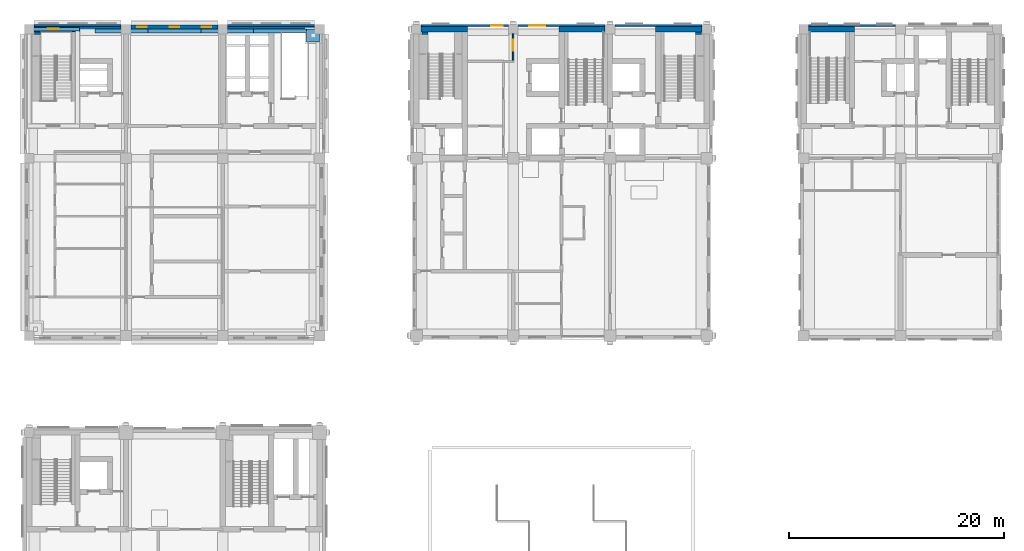
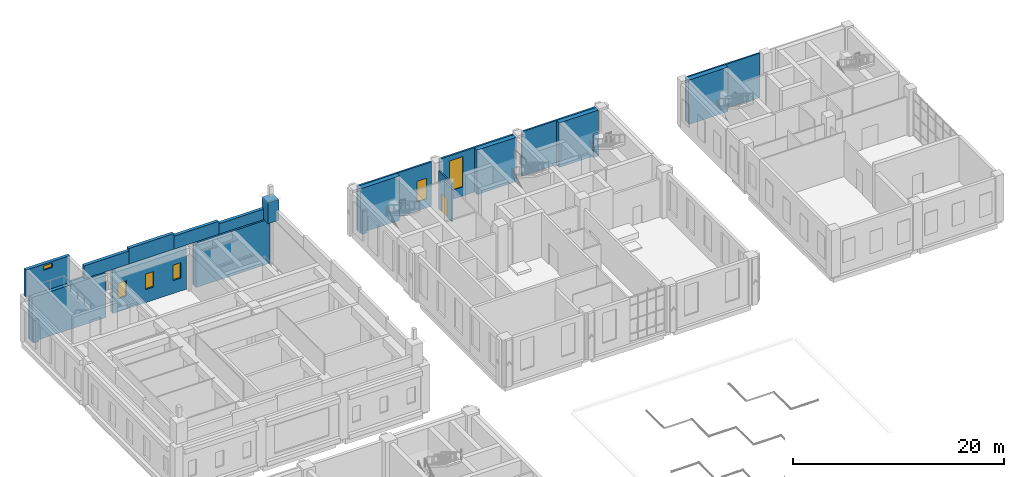
# One storey, part 25 of 37: 23 walls, 6 windows, 1 door, 7 openings.
"""IFC4 building model written with IfcOpenShell, lengths in metres."""

from ifc_helpers import new_model, si_unit, direction, frame, frame_2d, origin, place, context, subcontext, project, spatial, rectangle, extrude, material, layer, layer_set, type_object, element, fill, save


model = new_model("IFC4")

# Units and contexts
model_context = context("Model", 3, precision=1e-05, world=origin(), true_north=direction((0.0, 1.0)))
body_context = subcontext(model_context, "Body", "Model", "MODEL_VIEW")
ifc_project = project(units=[si_unit("LENGTHUNIT", "METRE"), si_unit("AREAUNIT", "SQUARE_METRE"), si_unit("VOLUMEUNIT", "CUBIC_METRE"), si_unit("PLANEANGLEUNIT", "RADIAN"), si_unit("MASSUNIT", "GRAM", prefix="KILO")], contexts=[model_context])

# Site, building, storey
site_placement = place(None, origin())
site = spatial("IfcSite", under=ifc_project, at=site_placement, CompositionType="ELEMENT")
building_placement = place(site_placement, origin())
building = spatial("IfcBuilding", under=site, at=building_placement, Name="Aurelan Courthouse", CompositionType="ELEMENT")
storey_placement = place(building_placement, frame((0.0, 0.0, 17.39990234375)))
storey = spatial("IfcBuildingStorey", under=building, at=storey_placement, Name="L03", CompositionType="ELEMENT", Elevation=17.39990234375)

# Walls
ifc_material_1 = material(Name="Limestone cladding", Category="masonry")
ifc_layer_1 = layer(ifc_material_1, 0.35009765625)
ifc_layer_set_1 = layer_set([ifc_layer_1], Name="Limestone cladding")
wall_type_1 = type_object("IfcWallType", Name="CR6 crown parapet 350 x 1200", PredefinedType="PARAPET", material=ifc_layer_set_1)
wall_1_placement = place(storey_placement, frame((20.8798828125, 65.824951171875, 5.400146484375), z_axis=(0.0, 0.0, 1.0), x_axis=(1.0, 0.0, 0.0)))
element("IfcWall", 1, at=wall_1_placement, inside=storey, type_object=wall_type_1, Name="Crown parapet CR6-PA10", PredefinedType="PARAPET", context=body_context, shape_type="SweptSolid", body=[
    extrude(rectangle(XDim=4.920166015625, YDim=0.35009765625, at=frame_2d((2.4599609375, 0.0))), origin(), (0.0, 0.0, 1.0), 1.199951171875),
])
ifc_layer_2 = layer(ifc_material_1, 0.35009765625)
ifc_layer_set_2 = layer_set([ifc_layer_2], Name="Limestone cladding")
wall_type_2 = type_object("IfcWallType", Name="CR6 crown parapet 350 x 1500", PredefinedType="PARAPET", material=ifc_layer_set_2)
for number, where, z_axis, x_axis, name in (
    (2, (6.1201171875, 65.824951171875, 5.400146484375), (0.0, 0.0, 1.0), (1.0, 0.0, 0.0), "Crown parapet CR6-PA07"),
    (3, (15.9599609375, 65.824951171875, 5.400146484375), (0.0, 0.0, 1.0), (1.0, 0.0, 0.0), "Crown parapet CR6-PA09"),
):
    element("IfcWall", number, at=place(storey_placement, frame(where, z_axis=z_axis, x_axis=x_axis)), inside=storey, type_object=wall_type_2, Name=name, PredefinedType="PARAPET", context=body_context, shape_type="SweptSolid", body=[
        extrude(rectangle(XDim=4.919921875, YDim=0.35009765625, at=frame_2d((2.4599609375, 0.0))), origin(), (0.0, 0.0, 1.0), 1.5),
    ])
ifc_layer_3 = layer(ifc_material_1, 0.35009765625)
ifc_layer_set_3 = layer_set([ifc_layer_3], Name="Limestone cladding")
wall_type_3 = type_object("IfcWallType", Name="CR6 crown parapet 350 x 1800", PredefinedType="PARAPET", material=ifc_layer_set_3)
wall_2_placement = place(storey_placement, frame((11.0400390625, 65.824951171875, 5.400146484375), z_axis=(0.0, 0.0, 1.0), x_axis=(1.0, 0.0, 0.0)))
element("IfcWall", 4, at=wall_2_placement, inside=storey, type_object=wall_type_3, Name="Crown parapet CR6-PA08", PredefinedType="PARAPET", context=body_context, shape_type="SweptSolid", body=[
    extrude(rectangle(XDim=4.919921875, YDim=0.35009765625, at=frame_2d((2.4599609375, 0.0))), origin(), (0.0, 0.0, 1.0), 1.800048828125),
])

# Wall, opening, door
ifc_material_2 = material(Name="Gypsum board on metal studs")
ifc_layer_4 = layer(ifc_material_2, 0.14990234375)
ifc_layer_set_4 = layer_set([ifc_layer_4], Name="Gypsum board on metal studs")
wall_type_4 = type_object("IfcWallType", Name="Corridor partition 150 EI 60", PredefinedType="PARTITIONING", material=ifc_layer_set_4)
wall_3_placement = place(storey_placement, frame((45.0, 63.074951171875, 0.0), z_axis=(0.0, 0.0, 1.0), x_axis=(0.0, 1.0, 0.0)))
wall_3 = element("IfcWall", 5, at=wall_3_placement, inside=storey, type_object=wall_type_4, Name="Corridor partition L03-069", PredefinedType="PARTITIONING", context=body_context, shape_type="SweptSolid", body=[
    extrude(rectangle(XDim=2.47509765625, YDim=0.14990234375, at=frame_2d((1.237548828125, 0.0))), origin(), (0.0, 0.0, 1.0), 4.400146484375),
])
opening_1_placement = place(wall_3_placement, frame((0.925048828125, 0.0, 0.0)))
opening_1 = element("IfcOpeningElement", 6, at=opening_1_placement, cuts=wall_3, Name="Opening D-L03-028", PredefinedType="OPENING", context=body_context, shape_type="SweptSolid", body=[
    extrude(rectangle(XDim=1.0, YDim=2.10009765625, at=frame_2d((0.5, 1.050048828125))), frame((0.0, 0.0849609375, 0.0), z_axis=(0.0, -1.0, 0.0), x_axis=(1.0, 0.0, 0.0)), (0.0, 0.0, 1.0), 0.169921875),
])
ifc_material_3 = material(Name="Steel", Category="steel")
door_type = type_object("IfcDoorType", Name="Single door 1000 x 2100 FD60", OperationType="SINGLE_SWING_LEFT", PredefinedType="DOOR", material=ifc_material_3)
door_placement = place(opening_1_placement, origin())
door = element("IfcDoor", 7, at=door_placement, inside=storey, type_object=door_type, Name="Single door D-L03-028", OperationType="SINGLE_SWING_LEFT", OverallHeight=2.10009765625, OverallWidth=1.0, PredefinedType="DOOR", context=body_context, shape_type="SweptSolid", body=[
    extrude(rectangle(XDim=1.0, YDim=2.10009765625, at=frame_2d((0.5, 1.050048828125))), frame((0.0, 0.02490234375, 0.0), z_axis=(0.0, -1.0, 0.0), x_axis=(1.0, 0.0, 0.0)), (0.0, 0.0, 1.0), 0.050048828125),
])
fill(opening_1, door)

# Wall, opening, window
ifc_layer_5 = layer(ifc_material_1, 0.054931640625, Name="Facing")
ifc_material_4 = material(Name="Ventilated cavity")
ifc_layer_6 = layer(ifc_material_4, 0.02490234375, ventilated=True, Name="Ventilated cavity")
ifc_material_5 = material(Name="Mineral wool insulation")
ifc_layer_7 = layer(ifc_material_5, 0.030029296875, Name="Insulation")
ifc_material_6 = material(Name="Concrete C30", Category="concrete")
ifc_layer_8 = layer(ifc_material_6, 0.090087890625, Name="Structure")
ifc_layer_set_5 = layer_set([ifc_layer_5, ifc_layer_6, ifc_layer_7, ifc_layer_8], Name="Concrete C30")
wall_type_5 = type_object("IfcWallType", Name="Courtroom Block stone-faced wall 200", PredefinedType="SOLIDWALL", material=ifc_layer_set_5)
wall_4_placement = place(storey_placement, frame((36.449951171875, 66.35009765625, 0.0), z_axis=(0.0, 0.0, 1.0), x_axis=(1.0, 0.0, 0.0)))
wall_4 = element("IfcWall", 8, at=wall_4_placement, inside=storey, type_object=wall_type_5, Name="Facade wall FW-V2-L03-004", PredefinedType="SOLIDWALL", context=body_context, shape_type="SweptSolid", body=[
    extrude(rectangle(XDim=8.10009765625, YDim=0.199951171875, at=frame_2d((4.050048828125, 0.0))), origin(), (0.0, 0.0, 1.0), 5.150146484375),
])
opening_2_placement = place(wall_4_placement, frame((6.52490234375, 0.0, 1.050048828125)))
opening_2 = element("IfcOpeningElement", 9, at=opening_2_placement, cuts=wall_4, Name="Opening WN-V2-L03-006", PredefinedType="OPENING", context=body_context, shape_type="SweptSolid", body=[
    extrude(rectangle(XDim=1.050048828125, YDim=2.39990234375, at=frame_2d((0.52490234375, 1.199951171875))), frame((0.0, 0.10986328125, 0.0), z_axis=(0.0, -1.0, 0.0), x_axis=(1.0, 0.0, 0.0)), (0.0, 0.0, 1.0), 0.219970703125),
])
ifc_material_7 = material(Name="Bronze-finished aluminium and glass", Category="aluminium")
window_type_1 = type_object("IfcWindowType", Name="Courtroom Block window 1050 x 2400, sill 1050", PartitioningType="SINGLE_PANEL", PredefinedType="WINDOW", material=ifc_material_7)
window_1_placement = place(opening_2_placement, origin())
window_1 = element("IfcWindow", 10, at=window_1_placement, inside=storey, type_object=window_type_1, Name="Window WN-V2-L03-006", OverallHeight=2.39990234375, OverallWidth=1.050048828125, PartitioningType="SINGLE_PANEL", PredefinedType="WINDOW", context=body_context, shape_type="SweptSolid", body=[
    extrude(rectangle(XDim=1.050048828125, YDim=2.39990234375, at=frame_2d((0.52490234375, 1.199951171875))), frame((0.0, 0.030029296875, 0.0), z_axis=(0.0, -1.0, 0.0), x_axis=(1.0, 0.0, 0.0)), (0.0, 0.0, 1.0), 0.06005859375),
])
fill(opening_2, window_1)

wall_5_placement = place(storey_placement, frame((45.449951171875, 66.35009765625, 0.0), z_axis=(0.0, 0.0, 1.0), x_axis=(1.0, 0.0, 0.0)))
wall_5 = element("IfcWall", 11, at=wall_5_placement, inside=storey, type_object=wall_type_5, Name="Facade wall FW-V2-L03-005", PredefinedType="SOLIDWALL", context=body_context, shape_type="SweptSolid", body=[
    extrude(rectangle(XDim=8.10009765625, YDim=0.199951171875, at=frame_2d((4.050048828125, 0.0))), origin(), (0.0, 0.0, 1.0), 5.150146484375),
])
opening_3_placement = place(wall_5_placement, frame((1.050048828125, 0.0, 1.050048828125)))
opening_3 = element("IfcOpeningElement", 12, at=opening_3_placement, cuts=wall_5, Name="Opening WN-V2-L03-007", PredefinedType="OPENING", context=body_context, shape_type="SweptSolid", body=[
    extrude(rectangle(XDim=1.5, YDim=3.5, at=frame_2d((0.75, 1.75))), frame((0.0, 0.10986328125, 0.0), z_axis=(0.0, -1.0, 0.0), x_axis=(1.0, 0.0, 0.0)), (0.0, 0.0, 1.0), 0.219970703125),
])
window_type_2 = type_object("IfcWindowType", Name="Courtroom Block glazed slot 1500 x 3500, sill 1050", PartitioningType="SINGLE_PANEL", PredefinedType="WINDOW", material=ifc_material_7)
window_2_placement = place(opening_3_placement, origin())
window_2 = element("IfcWindow", 13, at=window_2_placement, inside=storey, type_object=window_type_2, Name="Glazed slot WN-V2-L03-007", OverallHeight=3.5, OverallWidth=1.5, PartitioningType="SINGLE_PANEL", PredefinedType="WINDOW", context=body_context, shape_type="SweptSolid", body=[
    extrude(rectangle(XDim=1.5, YDim=3.5, at=frame_2d((0.75, 1.75))), frame((0.0, 0.030029296875, 0.0), z_axis=(0.0, -1.0, 0.0), x_axis=(1.0, 0.0, 0.0)), (0.0, 0.0, 1.0), 0.06005859375),
])
fill(opening_3, window_2)

# Walls
wall_6_placement = place(storey_placement, frame((54.449951171875, 66.35009765625, 0.0), z_axis=(0.0, 0.0, 1.0), x_axis=(1.0, 0.0, 0.0)))
element("IfcWall", 14, at=wall_6_placement, inside=storey, type_object=wall_type_5, Name="Facade wall FW-V2-L03-006", PredefinedType="SOLIDWALL", context=body_context, shape_type="SweptSolid", body=[
    extrude(rectangle(XDim=8.10009765625, YDim=0.199951171875, at=frame_2d((4.050048828125, 0.0))), origin(), (0.0, 0.0, 1.0), 5.150146484375),
])
ifc_layer_9 = layer(ifc_material_1, 1.199951171875)
ifc_layer_set_6 = layer_set([ifc_layer_9], Name="Limestone cladding")
wall_type_6 = type_object("IfcWallType", Name="Crown pylon 1200 x 2400", PredefinedType="SOLIDWALL", material=ifc_layer_set_6)
wall_7_placement = place(storey_placement, frame((25.800048828125, 65.39990234375, 5.400146484375), z_axis=(0.0, 0.0, 1.0), x_axis=(1.0, 0.0, 0.0)))
element("IfcWall", 15, at=wall_7_placement, inside=storey, type_object=wall_type_6, Name="Crown pylon CR6-PY-NE", PredefinedType="SOLIDWALL", context=body_context, shape_type="SweptSolid", body=[
    extrude(rectangle(XDim=1.199951171875, YDim=1.199951171875, at=frame_2d((0.60009765625, 0.0))), origin(), (0.0, 0.0, 1.0), 2.39990234375),
])
ifc_layer_10 = layer(ifc_material_1, 0.054931640625, Name="Facing")
ifc_layer_11 = layer(ifc_material_4, 0.02490234375, ventilated=True, Name="Ventilated cavity")
ifc_layer_12 = layer(ifc_material_5, 0.030029296875, Name="Insulation")
ifc_layer_13 = layer(ifc_material_6, 0.090087890625, Name="Structure")
ifc_layer_set_7 = layer_set([ifc_layer_10, ifc_layer_11, ifc_layer_12, ifc_layer_13], Name="Concrete C30")
wall_type_7 = type_object("IfcWallType", Name="Custody Suite stone-faced wall 200", PredefinedType="SOLIDWALL", material=ifc_layer_set_7)
for number, where, z_axis, x_axis, name in (
    (16, (0.449951171875, 66.35009765625, 0.0), (0.0, 0.0, 1.0), (1.0, 0.0, 0.0), "Facade wall FW-V6-L03-004"),
    (17, (18.449951171875, 66.35009765625, 0.0), (0.0, 0.0, 1.0), (1.0, 0.0, 0.0), "Facade wall FW-V6-L03-006"),
):
    element("IfcWall", number, at=place(storey_placement, frame(where, z_axis=z_axis, x_axis=x_axis)), inside=storey, type_object=wall_type_7, Name=name, PredefinedType="SOLIDWALL", context=body_context, shape_type="SweptSolid", body=[
        extrude(rectangle(XDim=8.10009765625, YDim=0.199951171875, at=frame_2d((4.050048828125, 0.0))), origin(), (0.0, 0.0, 1.0), 5.150146484375),
    ])

# Wall, openings, windows
ifc_layer_14 = layer(ifc_material_1, 0.114990234375, Name="Facing")
ifc_layer_15 = layer(ifc_material_4, 0.02490234375, ventilated=True, Name="Ventilated cavity")
ifc_layer_16 = layer(ifc_material_5, 0.054931640625, Name="Insulation")
ifc_layer_17 = layer(ifc_material_6, 0.205078125, Name="Structure")
ifc_layer_set_8 = layer_set([ifc_layer_14, ifc_layer_15, ifc_layer_16, ifc_layer_17], Name="Concrete C30")
wall_type_8 = type_object("IfcWallType", Name="Custody Suite stone-faced wall 400", PredefinedType="SOLIDWALL", material=ifc_layer_set_8)
wall_8_placement = place(storey_placement, frame((9.449951171875, 66.199951171875, 0.0), z_axis=(0.0, 0.0, 1.0), x_axis=(1.0, 0.0, 0.0)))
wall_8 = element("IfcWall", 18, at=wall_8_placement, inside=storey, type_object=wall_type_8, Name="Facade wall FW-V6-L03-005", PredefinedType="SOLIDWALL", context=body_context, shape_type="SweptSolid", body=[
    extrude(rectangle(XDim=8.10009765625, YDim=0.39990234375, at=frame_2d((4.050048828125, 0.0))), origin(), (0.0, 0.0, 1.0), 5.150146484375),
])
opening_4_placement = place(wall_8_placement, frame((0.60009765625, 0.0, 1.5)))
opening_4 = element("IfcOpeningElement", 19, at=opening_4_placement, cuts=wall_8, Name="Opening WN-V6-L03-008", PredefinedType="OPENING", context=body_context, shape_type="SweptSolid", body=[
    extrude(rectangle(XDim=0.89990234375, YDim=1.800048828125, at=frame_2d((0.449951171875, 0.89990234375))), frame((0.0, 0.2099609375, 0.0), z_axis=(0.0, -1.0, 0.0), x_axis=(1.0, 0.0, 0.0)), (0.0, 0.0, 1.0), 0.419921875),
])
opening_5_placement = place(wall_8_placement, frame((3.60009765625, 0.0, 1.5)))
opening_5 = element("IfcOpeningElement", 20, at=opening_5_placement, cuts=wall_8, Name="Opening WN-V6-L03-009", PredefinedType="OPENING", context=body_context, shape_type="SweptSolid", body=[
    extrude(rectangle(XDim=0.89990234375, YDim=1.800048828125, at=frame_2d((0.449951171875, 0.89990234375))), frame((0.0, 0.2099609375, 0.0), z_axis=(0.0, -1.0, 0.0), x_axis=(1.0, 0.0, 0.0)), (0.0, 0.0, 1.0), 0.419921875),
])
opening_6_placement = place(wall_8_placement, frame((6.60009765625, 0.0, 1.5)))
opening_6 = element("IfcOpeningElement", 21, at=opening_6_placement, cuts=wall_8, Name="Opening WN-V6-L03-010", PredefinedType="OPENING", context=body_context, shape_type="SweptSolid", body=[
    extrude(rectangle(XDim=0.89990234375, YDim=1.800048828125, at=frame_2d((0.449951171875, 0.89990234375))), frame((0.0, 0.2099609375, 0.0), z_axis=(0.0, -1.0, 0.0), x_axis=(1.0, 0.0, 0.0)), (0.0, 0.0, 1.0), 0.419921875),
])
window_type_3 = type_object("IfcWindowType", Name="Custody Suite window 900 x 1800, sill 1500", PartitioningType="SINGLE_PANEL", PredefinedType="WINDOW", material=ifc_material_7)
window_3_placement = place(opening_4_placement, origin())
window_3 = element("IfcWindow", 22, at=window_3_placement, inside=storey, type_object=window_type_3, Name="Window WN-V6-L03-008", OverallHeight=1.800048828125, OverallWidth=0.89990234375, PartitioningType="SINGLE_PANEL", PredefinedType="WINDOW", context=body_context, shape_type="SweptSolid", body=[
    extrude(rectangle(XDim=0.89990234375, YDim=1.800048828125, at=frame_2d((0.449951171875, 0.89990234375))), frame((0.0, 0.030029296875, 0.0), z_axis=(0.0, -1.0, 0.0), x_axis=(1.0, 0.0, 0.0)), (0.0, 0.0, 1.0), 0.06005859375),
])
fill(opening_4, window_3)
window_4_placement = place(opening_5_placement, origin())
window_4 = element("IfcWindow", 23, at=window_4_placement, inside=storey, type_object=window_type_3, Name="Window WN-V6-L03-009", OverallHeight=1.800048828125, OverallWidth=0.89990234375, PartitioningType="SINGLE_PANEL", PredefinedType="WINDOW", context=body_context, shape_type="SweptSolid", body=[
    extrude(rectangle(XDim=0.89990234375, YDim=1.800048828125, at=frame_2d((0.449951171875, 0.89990234375))), frame((0.0, 0.030029296875, 0.0), z_axis=(0.0, -1.0, 0.0), x_axis=(1.0, 0.0, 0.0)), (0.0, 0.0, 1.0), 0.06005859375),
])
fill(opening_5, window_4)
window_5_placement = place(opening_6_placement, origin())
window_5 = element("IfcWindow", 24, at=window_5_placement, inside=storey, type_object=window_type_3, Name="Window WN-V6-L03-010", OverallHeight=1.800048828125, OverallWidth=0.89990234375, PartitioningType="SINGLE_PANEL", PredefinedType="WINDOW", context=body_context, shape_type="SweptSolid", body=[
    extrude(rectangle(XDim=0.89990234375, YDim=1.800048828125, at=frame_2d((0.449951171875, 0.89990234375))), frame((0.0, 0.030029296875, 0.0), z_axis=(0.0, -1.0, 0.0), x_axis=(1.0, 0.0, 0.0)), (0.0, 0.0, 1.0), 0.06005859375),
])
fill(opening_6, window_5)

# Wall, opening, window
ifc_material_8 = material(Name="Concrete C40", Category="concrete")
ifc_layer_18 = layer(ifc_material_8, 0.35009765625)
ifc_layer_set_9 = layer_set([ifc_layer_18], Name="Concrete C40")
wall_type_9 = type_object("IfcWallType", Name="Head house wall 350 x 3100", PredefinedType="SOLIDWALL", material=ifc_layer_set_9)
wall_9_placement = place(storey_placement, frame((-0.175048828125, 66.0, 5.400146484375), z_axis=(0.0, 0.0, 1.0), x_axis=(1.0, 0.0, 0.0)))
wall_9 = element("IfcWall", 25, at=wall_9_placement, inside=storey, type_object=wall_type_9, Name="Head house wall HH-ST-6-N", PredefinedType="SOLIDWALL", context=body_context, shape_type="SweptSolid", body=[
    extrude(rectangle(XDim=4.85009765625, YDim=0.35009765625, at=frame_2d((2.425048828125, 0.0))), origin(), (0.0, 0.0, 1.0), 3.099853515625),
])
opening_7_placement = place(wall_9_placement, frame((1.925048828125, 0.0, 2.39990234375)))
opening_7 = element("IfcOpeningElement", 26, at=opening_7_placement, cuts=wall_9, Name="Opening HL-ST-6", PredefinedType="OPENING", context=body_context, shape_type="SweptSolid", body=[
    extrude(rectangle(XDim=1.0, YDim=0.5, at=frame_2d((0.5, 0.25))), frame((0.0, 0.18505859375, 0.0), z_axis=(0.0, -1.0, 0.0), x_axis=(1.0, 0.0, 0.0)), (0.0, 0.0, 1.0), 0.3701171875),
])
ifc_material_9 = material(Name="Bronze-finished aluminium louvre", Category="aluminium")
window_type_4 = type_object("IfcWindowType", Name="Head house louvre 1000 x 500", PartitioningType="SINGLE_PANEL", PredefinedType="WINDOW", material=ifc_material_9)
window_6_placement = place(opening_7_placement, origin())
window_6 = element("IfcWindow", 27, at=window_6_placement, inside=storey, type_object=window_type_4, Name="Head house louvre HL-ST-6", OverallHeight=0.5, OverallWidth=1.0, PartitioningType="SINGLE_PANEL", PredefinedType="WINDOW", context=body_context, shape_type="SweptSolid", body=[
    extrude(rectangle(XDim=1.0, YDim=0.5, at=frame_2d((0.5, 0.25))), frame((0.0, 0.030029296875, 0.0), z_axis=(0.0, -1.0, 0.0), x_axis=(1.0, 0.0, 0.0)), (0.0, 0.0, 1.0), 0.06005859375),
])
fill(opening_7, window_6)

# Walls
ifc_layer_19 = layer(ifc_material_1, 0.050048828125, Name="Facing")
ifc_layer_20 = layer(ifc_material_4, 0.02490234375, ventilated=True, Name="Ventilated cavity")
ifc_layer_21 = layer(ifc_material_5, 0.02490234375, Name="Insulation")
ifc_layer_22 = layer(ifc_material_6, 0.070068359375, Name="Structure")
ifc_layer_set_10 = layer_set([ifc_layer_19, ifc_layer_20, ifc_layer_21, ifc_layer_22], Name="Concrete C30")
wall_type_10 = type_object("IfcWallType", Name="Law Library stone-faced wall 170", PredefinedType="SOLIDWALL", material=ifc_layer_set_10)
wall_10_placement = place(storey_placement, frame((72.449951171875, 66.3349609375, 0.0), z_axis=(0.0, 0.0, 1.0), x_axis=(1.0, 0.0, 0.0)))
element("IfcWall", 28, at=wall_10_placement, inside=storey, type_object=wall_type_10, Name="Facade wall FW-V3-L03-003", PredefinedType="SOLIDWALL", context=body_context, shape_type="SweptSolid", body=[
    extrude(rectangle(XDim=8.10009765625, YDim=0.169921875, at=frame_2d((4.050048828125, 0.0))), origin(), (0.0, 0.0, 1.0), 5.150146484375),
])
ifc_material_10 = material(Name="Concrete C50", Category="concrete")
ifc_layer_23 = layer(ifc_material_10, 0.5)
ifc_layer_set_11 = layer_set([ifc_layer_23], Name="Concrete C50")
wall_type_11 = type_object("IfcWallType", Name="RC shear wall 500", PredefinedType="SHEAR", material=ifc_layer_set_11)
for number, where, z_axis, x_axis, name in (
    (29, (0.449951171875, 66.0, 0.0), (0.0, 0.0, 1.0), (1.0, 0.0, 0.0), "Core wall SW-L03-060"),
    (30, (18.449951171875, 66.0, 0.0), (0.0, 0.0, 1.0), (1.0, 0.0, 0.0), "Core wall SW-L03-061"),
):
    element("IfcWall", number, at=place(storey_placement, frame(where, z_axis=z_axis, x_axis=x_axis)), inside=storey, type_object=wall_type_11, Name=name, PredefinedType="SHEAR", context=body_context, shape_type="SweptSolid", body=[
        extrude(rectangle(XDim=8.10009765625, YDim=0.5, at=frame_2d((4.050048828125, 0.0))), origin(), (0.0, 0.0, 1.0), 5.150146484375),
    ])
for number, where, z_axis, x_axis, name in (
    (31, (36.449951171875, 66.0, 0.0), (0.0, 0.0, 1.0), (1.0, 0.0, 0.0), "Core wall SW-L03-062"),
    (32, (49.25, 66.0, 0.0), (0.0, 0.0, 1.0), (1.0, 0.0, 0.0), "Core wall SW-L03-063"),
    (33, (58.25, 66.0, 0.0), (0.0, 0.0, 1.0), (1.0, 0.0, 0.0), "Core wall SW-L03-064"),
    (34, (72.449951171875, 66.0, 0.0), (0.0, 0.0, 1.0), (1.0, 0.0, 0.0), "Core wall SW-L03-065"),
):
    element("IfcWall", number, at=place(storey_placement, frame(where, z_axis=z_axis, x_axis=x_axis)), inside=storey, type_object=wall_type_11, Name=name, PredefinedType="SHEAR", context=body_context, shape_type="SweptSolid", body=[
        extrude(rectangle(XDim=4.300048828125, YDim=0.5, at=frame_2d((2.14990234375, 0.0))), origin(), (0.0, 0.0, 1.0), 5.150146484375),
    ])
ifc_layer_24 = layer(ifc_material_6, 0.56005859375)
ifc_layer_set_12 = layer_set([ifc_layer_24], Name="Concrete C30")
wall_type_12 = type_object("IfcWallType", Name="Stair well wall 560 EI 120 load-bearing", PredefinedType="SHEAR", material=ifc_layer_set_12)
for number, where, z_axis, x_axis, name in (
    (35, (36.780029296875, 65.5, 0.0), (0.0, 0.0, 1.0), (0.0, 1.0, 0.0), "Stair well wall CS-2-L03 A2"),
    (36, (62.219970703125, 65.5, 0.0), (0.0, 0.0, 1.0), (0.0, 1.0, 0.0), "Stair well wall ST-2E-L03 B2"),
    (37, (0.780029296875, 65.5, 0.0), (0.0, 0.0, 1.0), (0.0, 1.0, 0.0), "Stair well wall ST-6-L03 A2"),
):
    element("IfcWall", number, at=place(storey_placement, frame(where, z_axis=z_axis, x_axis=x_axis)), inside=storey, type_object=wall_type_12, Name=name, PredefinedType="SHEAR", context=body_context, shape_type="SweptSolid", body=[
        extrude(rectangle(XDim=0.25, YDim=0.56005859375, at=frame_2d((0.125, 0.0))), origin(), (0.0, 0.0, 1.0), 2.587158203125),
    ])

save(model, "model.ifc")
